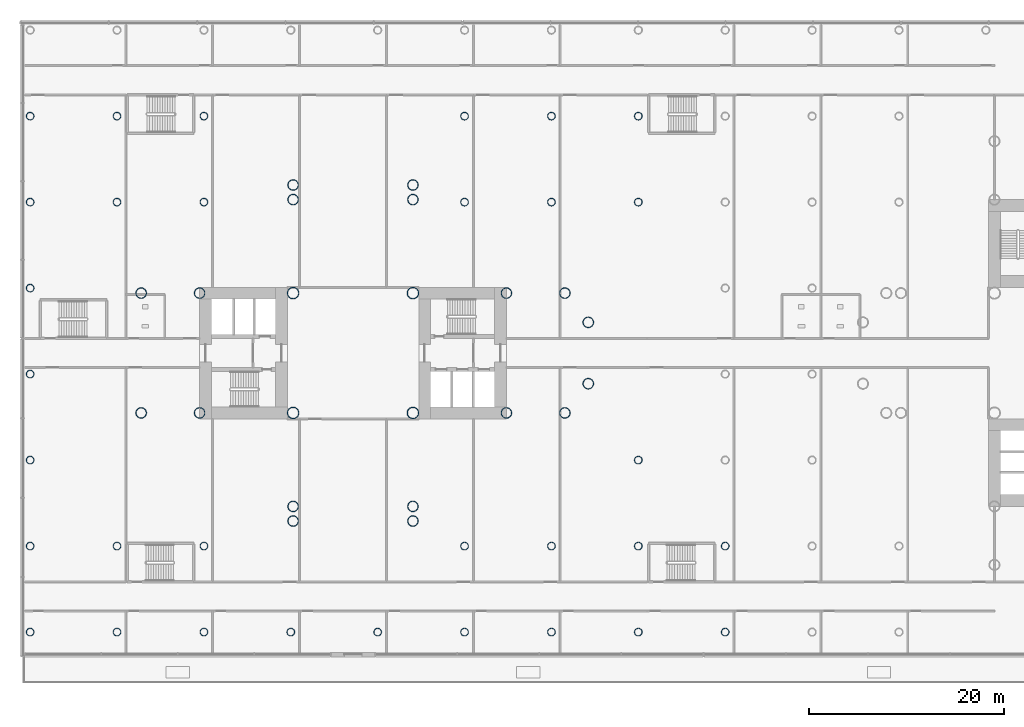
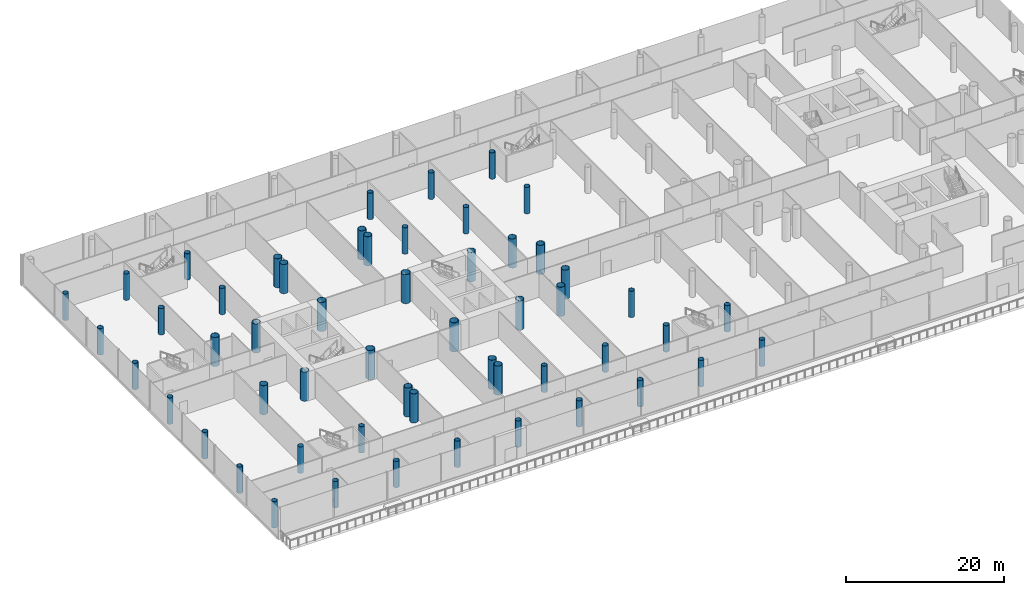
# One storey, part 1 of 49: 54 columns.
"""IFC4 building model written with IfcOpenShell, lengths in metres."""

from ifc_helpers import new_model, si_unit, direction, frame, origin, origin_2d, place, context, subcontext, project, spatial, hollow_circle, extrude, material, material_profile, profile_set, type_object, element, save


model = new_model("IFC4")

# Units and contexts
model_context = context("Model", 3, precision=1e-05, world=origin(), true_north=direction((0.0, 1.0)))
body_context = subcontext(model_context, "Body", "Model", "MODEL_VIEW")
ifc_project = project(units=[si_unit("LENGTHUNIT", "METRE"), si_unit("AREAUNIT", "SQUARE_METRE"), si_unit("VOLUMEUNIT", "CUBIC_METRE"), si_unit("PLANEANGLEUNIT", "RADIAN"), si_unit("MASSUNIT", "GRAM", prefix="KILO")], contexts=[model_context])

# Site, building, storey
site_placement = place(None, origin())
site = spatial("IfcSite", under=ifc_project, at=site_placement, CompositionType="ELEMENT")
building_placement = place(site_placement, origin())
building = spatial("IfcBuilding", under=site, at=building_placement, Name="Ipe Terrace Towers", CompositionType="ELEMENT")
storey_placement = place(building_placement, frame((0.0, 0.0, 20.0)))
storey = spatial("IfcBuildingStorey", under=building, at=storey_placement, Name="L04", CompositionType="ELEMENT", Elevation=20.0)

# Columns
ifc_material_1 = material(Name="Steel S355 tube with Concrete C60/75 fill", Category="concrete")
ifc_material_profile_1 = material_profile(ifc_material_1, hollow_circle(Radius=0.550048828125, WallThickness=0.0400390625, at=origin_2d()), Name="CHS-1100x40")
ifc_profile_set_1 = profile_set([ifc_material_profile_1], Name="Steel S355 tube with Concrete C60/75 fill")
column_type_1 = type_object("IfcColumnType", Name="CH02 COLUMN CHS-1100x40", PredefinedType="COLUMN", material=ifc_profile_set_1)
for number, where, z_axis, x_axis, name in (
    (1, (-20.25, -6.14990234375, 0.0), (0.0, 0.0, 1.0), (1.0, 0.0, 0.0), "Column T1-C-A01"),
    (2, (-20.25, 6.14990234375, 0.0), (0.0, 0.0, 1.0), (1.0, 0.0, 0.0), "Column T1-C-A02"),
    (3, (-14.25, -6.14990234375, 0.0), (0.0, 0.0, 1.0), (1.0, 0.0, 0.0), "Column T1-C-A03"),
    (4, (-14.25, 6.14990234375, 0.0), (0.0, 0.0, 1.0), (1.0, 0.0, 0.0), "Column T1-C-A04"),
    (5, (-11.85009765625, -3.14990234375, 0.0), (0.0, 0.0, 1.0), (1.0, 0.0, 0.0), "Column T1-C-A05"),
    (6, (-11.85009765625, 3.14990234375, 0.0), (0.0, 0.0, 1.0), (1.0, 0.0, 0.0), "Column T1-C-A06"),
    (7, (-29.85009765625, 15.75, 0.0), (0.0, 0.0, 1.0), (1.0, 0.0, 0.0), "Column T1-C-B03"),
    (8, (-42.14990234375, 15.75, 0.0), (0.0, 0.0, 1.0), (1.0, 0.0, 0.0), "Column T1-C-B04"),
    (9, (-29.85009765625, 17.25, 0.0), (0.0, 0.0, 1.0), (1.0, 0.0, 0.0), "Column T1-C-B05"),
    (10, (-42.14990234375, 17.25, 0.0), (0.0, 0.0, 1.0), (1.0, 0.0, 0.0), "Column T1-C-B06"),
    (11, (-51.75, -6.14990234375, 0.0), (0.0, 0.0, 1.0), (1.0, 0.0, 0.0), "Column T1-C-C01"),
    (12, (-51.75, 6.14990234375, 0.0), (0.0, 0.0, 1.0), (1.0, 0.0, 0.0), "Column T1-C-C02"),
    (13, (-57.75, -6.14990234375, 0.0), (0.0, 0.0, 1.0), (1.0, 0.0, 0.0), "Column T1-C-C03"),
    (14, (-57.75, 6.14990234375, 0.0), (0.0, 0.0, 1.0), (1.0, 0.0, 0.0), "Column T1-C-C04"),
    (15, (-42.14990234375, -15.75, 0.0), (0.0, 0.0, 1.0), (1.0, 0.0, 0.0), "Column T1-C-D03"),
    (16, (-29.85009765625, -15.75, 0.0), (0.0, 0.0, 1.0), (1.0, 0.0, 0.0), "Column T1-C-D04"),
    (17, (-42.14990234375, -17.25, 0.0), (0.0, 0.0, 1.0), (1.0, 0.0, 0.0), "Column T1-C-D05"),
    (18, (-29.85009765625, -17.25, 0.0), (0.0, 0.0, 1.0), (1.0, 0.0, 0.0), "Column T1-C-D06"),
):
    element("IfcColumn", number, at=place(storey_placement, frame(where, z_axis=z_axis, x_axis=x_axis)), inside=storey, type_object=column_type_1, Name=name, PredefinedType="COLUMN", context=body_context, shape_type="SweptSolid", body=[
        extrude(hollow_circle(Radius=0.550048828125, WallThickness=0.0400390625, at=origin_2d()), origin(), (0.0, 0.0, 1.0), 4.5),
    ])
ifc_material_2 = material(Name="Steel S355 tube with Concrete C60/75 fill", Category="concrete")
ifc_material_profile_2 = material_profile(ifc_material_2, hollow_circle(Radius=0.60009765625, WallThickness=0.044921875, at=origin_2d()), Name="CHS-1200x45")
ifc_profile_set_2 = profile_set([ifc_material_profile_2], Name="Steel S355 tube with Concrete C60/75 fill")
column_type_2 = type_object("IfcColumnType", Name="CH03 COLUMN CHS-1200x45", PredefinedType="COLUMN", material=ifc_profile_set_2)
for number, where, z_axis, x_axis, name in (
    (19, (-42.14990234375, -6.14990234375, 0.0), (0.0, 0.0, 1.0), (1.0, 0.0, 0.0), "Column T1-C-E01"),
    (20, (-29.85009765625, -6.14990234375, 0.0), (0.0, 0.0, 1.0), (1.0, 0.0, 0.0), "Column T1-C-E02"),
    (21, (-29.85009765625, 6.14990234375, 0.0), (0.0, 0.0, 1.0), (1.0, 0.0, 0.0), "Column T1-C-E03"),
    (22, (-42.14990234375, 6.14990234375, 0.0), (0.0, 0.0, 1.0), (1.0, 0.0, 0.0), "Column T1-C-E04"),
):
    element("IfcColumn", number, at=place(storey_placement, frame(where, z_axis=z_axis, x_axis=x_axis)), inside=storey, type_object=column_type_2, Name=name, PredefinedType="COLUMN", context=body_context, shape_type="SweptSolid", body=[
        extrude(hollow_circle(Radius=0.60009765625, WallThickness=0.044921875, at=origin_2d()), origin(), (0.0, 0.0, 1.0), 4.5),
    ])
ifc_material_3 = material(Name="Steel S355 tube with Concrete C60/75 fill", Category="concrete")
ifc_material_profile_3 = material_profile(ifc_material_3, hollow_circle(Radius=0.39990234375, WallThickness=0.028076171875, at=origin_2d()), Name="CHS-800x28")
ifc_profile_set_3 = profile_set([ifc_material_profile_3], Name="Steel S355 tube with Concrete C60/75 fill")
column_type_3 = type_object("IfcColumnType", Name="CH09 PODIUM COLUMN CHS-800x28", PredefinedType="COLUMN", material=ifc_profile_set_3)
for number, where, z_axis, x_axis, name in (
    (23, (-69.14990234375, -28.64990234375, 0.0), (0.0, 0.0, 1.0), (1.0, 0.0, 0.0), "Column PD-C-D01"),
    (24, (-60.22998046875, -28.64990234375, 0.0), (0.0, 0.0, 1.0), (1.0, 0.0, 0.0), "Column PD-C-D02"),
    (25, (-51.31005859375, -28.64990234375, 0.0), (0.0, 0.0, 1.0), (1.0, 0.0, 0.0), "Column PD-C-D03"),
    (26, (-42.389892578125, -28.64990234375, 0.0), (0.0, 0.0, 1.0), (1.0, 0.0, 0.0), "Column PD-C-D04"),
    (27, (-33.469970703125, -28.64990234375, 0.0), (0.0, 0.0, 1.0), (1.0, 0.0, 0.0), "Column PD-C-D05"),
    (28, (-24.550048828125, -28.64990234375, 0.0), (0.0, 0.0, 1.0), (1.0, 0.0, 0.0), "Column PD-C-D06"),
    (29, (-15.6298828125, -28.64990234375, 0.0), (0.0, 0.0, 1.0), (1.0, 0.0, 0.0), "Column PD-C-D07"),
    (30, (-6.7099609375, -28.64990234375, 0.0), (0.0, 0.0, 1.0), (1.0, 0.0, 0.0), "Column PD-C-D08"),
    (31, (2.2099609375, -28.64990234375, 0.0), (0.0, 0.0, 1.0), (1.0, 0.0, 0.0), "Column PD-C-D09"),
    (32, (-69.14990234375, -19.821044921875, 0.0), (0.0, 0.0, 1.0), (1.0, 0.0, 0.0), "Column PD-C-E01"),
    (33, (-60.22998046875, -19.821044921875, 0.0), (0.0, 0.0, 1.0), (1.0, 0.0, 0.0), "Column PD-C-E02"),
    (34, (-51.31005859375, -19.821044921875, 0.0), (0.0, 0.0, 1.0), (1.0, 0.0, 0.0), "Column PD-C-E03"),
    (35, (-24.550048828125, -19.821044921875, 0.0), (0.0, 0.0, 1.0), (1.0, 0.0, 0.0), "Column PD-C-E06"),
    (36, (-15.6298828125, -19.821044921875, 0.0), (0.0, 0.0, 1.0), (1.0, 0.0, 0.0), "Column PD-C-E07"),
    (37, (-6.7099609375, -19.821044921875, 0.0), (0.0, 0.0, 1.0), (1.0, 0.0, 0.0), "Column PD-C-E08"),
    (38, (2.2099609375, -19.821044921875, 0.0), (0.0, 0.0, 1.0), (1.0, 0.0, 0.0), "Column PD-C-E09"),
    (39, (-69.14990234375, -10.992919921875, 0.0), (0.0, 0.0, 1.0), (1.0, 0.0, 0.0), "Column PD-C-F01"),
    (40, (-6.7099609375, -10.992919921875, 0.0), (0.0, 0.0, 1.0), (1.0, 0.0, 0.0), "Column PD-C-F08"),
    (41, (-69.14990234375, -2.1640625, 0.0), (0.0, 0.0, 1.0), (1.0, 0.0, 0.0), "Column PD-C-G01"),
    (42, (-69.14990234375, 6.6640625, 0.0), (0.0, 0.0, 1.0), (1.0, 0.0, 0.0), "Column PD-C-H01"),
    (43, (-69.14990234375, 15.492919921875, 0.0), (0.0, 0.0, 1.0), (1.0, 0.0, 0.0), "Column PD-C-I01"),
    (44, (-60.22998046875, 15.492919921875, 0.0), (0.0, 0.0, 1.0), (1.0, 0.0, 0.0), "Column PD-C-I02"),
    (45, (-51.31005859375, 15.492919921875, 0.0), (0.0, 0.0, 1.0), (1.0, 0.0, 0.0), "Column PD-C-I03"),
    (46, (-24.550048828125, 15.492919921875, 0.0), (0.0, 0.0, 1.0), (1.0, 0.0, 0.0), "Column PD-C-I06"),
    (47, (-15.6298828125, 15.492919921875, 0.0), (0.0, 0.0, 1.0), (1.0, 0.0, 0.0), "Column PD-C-I07"),
    (48, (-6.7099609375, 15.492919921875, 0.0), (0.0, 0.0, 1.0), (1.0, 0.0, 0.0), "Column PD-C-I08"),
    (49, (-69.14990234375, 24.321044921875, 0.0), (0.0, 0.0, 1.0), (1.0, 0.0, 0.0), "Column PD-C-J01"),
    (50, (-60.22998046875, 24.321044921875, 0.0), (0.0, 0.0, 1.0), (1.0, 0.0, 0.0), "Column PD-C-J02"),
    (51, (-51.31005859375, 24.321044921875, 0.0), (0.0, 0.0, 1.0), (1.0, 0.0, 0.0), "Column PD-C-J03"),
    (52, (-24.550048828125, 24.321044921875, 0.0), (0.0, 0.0, 1.0), (1.0, 0.0, 0.0), "Column PD-C-J06"),
    (53, (-15.6298828125, 24.321044921875, 0.0), (0.0, 0.0, 1.0), (1.0, 0.0, 0.0), "Column PD-C-J07"),
    (54, (-6.7099609375, 24.321044921875, 0.0), (0.0, 0.0, 1.0), (1.0, 0.0, 0.0), "Column PD-C-J08"),
):
    element("IfcColumn", number, at=place(storey_placement, frame(where, z_axis=z_axis, x_axis=x_axis)), inside=storey, type_object=column_type_3, Name=name, PredefinedType="COLUMN", context=body_context, shape_type="SweptSolid", body=[
        extrude(hollow_circle(Radius=0.39990234375, WallThickness=0.028076171875, at=origin_2d()), origin(), (0.0, 0.0, 1.0), 4.080078125),
    ])

save(model, "model.ifc")
